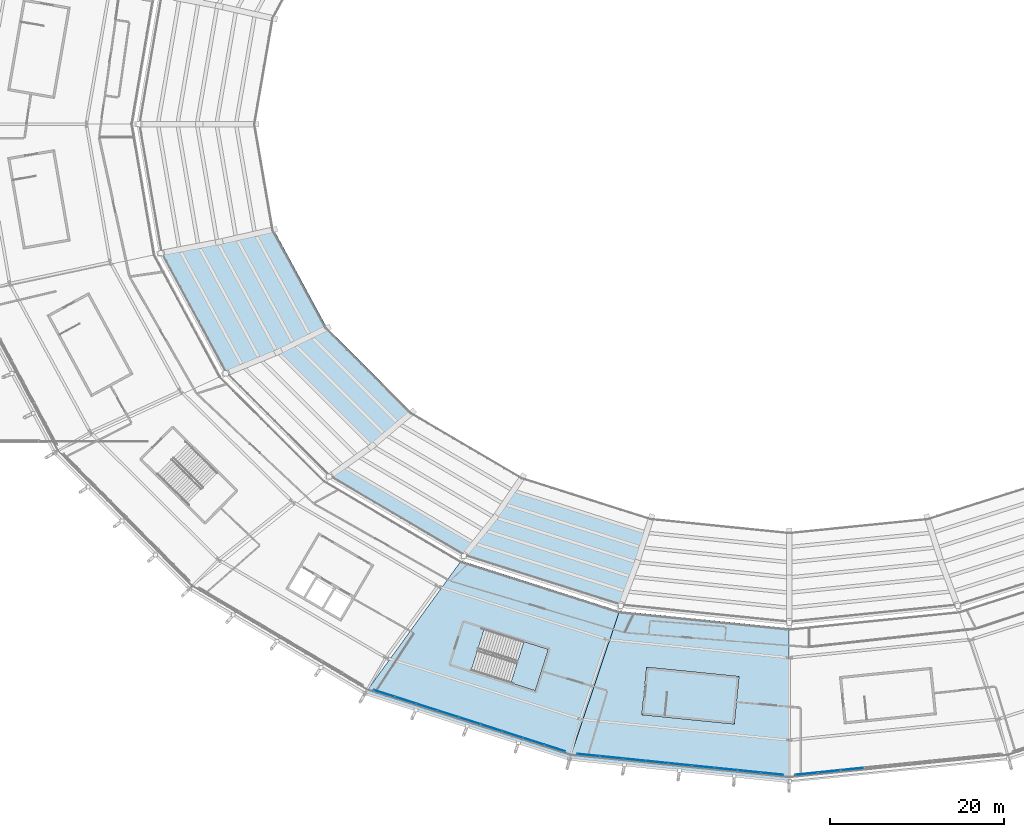
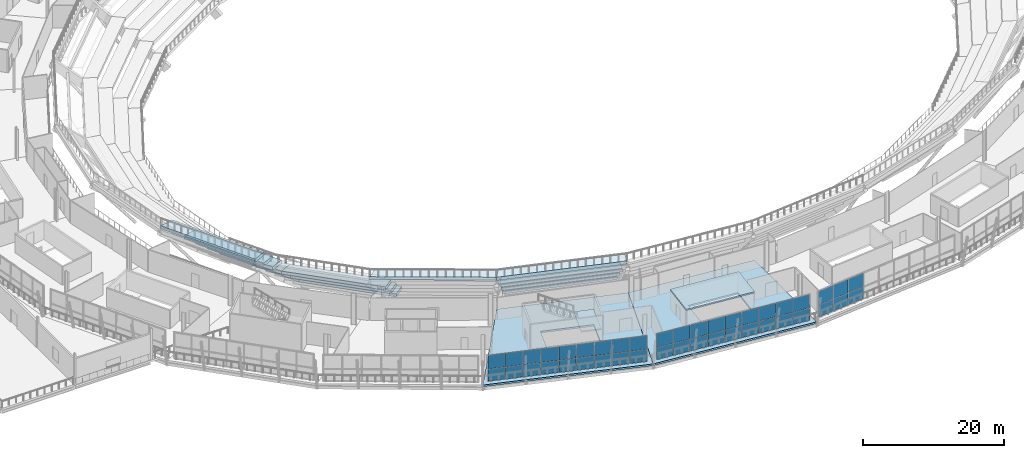
# One storey, part 63 of 126: 42 plates, 19 slabs, 4 elements without a shape of their own.
"""IFC4 building model written with IfcOpenShell, lengths in metres."""

from ifc_helpers import new_model, si_unit, direction, frame, origin, origin_2d, place, context, subcontext, project, spatial, polyline, rectangle, outline, extrude, material, layer, layer_set, type_object, element, aggregate, save


model = new_model("IFC4")

# Units and contexts
model_context = context("Model", 3, precision=1e-05, world=origin(), true_north=direction((0.0, 1.0)))
body_context = subcontext(model_context, "Body", "Model", "MODEL_VIEW")
ifc_project = project(units=[si_unit("LENGTHUNIT", "METRE"), si_unit("AREAUNIT", "SQUARE_METRE"), si_unit("VOLUMEUNIT", "CUBIC_METRE"), si_unit("PLANEANGLEUNIT", "RADIAN"), si_unit("MASSUNIT", "GRAM", prefix="KILO")], contexts=[model_context])

# Site, building, storey
site_placement = place(None, origin())
site = spatial("IfcSite", under=ifc_project, at=site_placement, CompositionType="ELEMENT")
building_placement = place(site_placement, origin())
building = spatial("IfcBuilding", under=site, at=building_placement, Name="Zlatoyarsky Gate Stadium", CompositionType="ELEMENT")
storey_placement = place(building_placement, frame((0.0, 0.0, 20.800048828125)))
storey = spatial("IfcBuildingStorey", under=building, at=storey_placement, Name="L04", CompositionType="ELEMENT", Elevation=20.800048828125)

# Curtain wall, plates
ifc_material_1 = material(Name="Thermally broken anodised aluminium curtain wall", Category="aluminium")
curtain_wall_type_1 = type_object("IfcCurtainWallType", Name="MONUMENTAL ARCHED GATE GLAZING LOWER", PredefinedType="USERDEFINED", material=ifc_material_1)
curtain_wall_1_placement = place(storey_placement, origin())
curtain_wall_1 = element("IfcCurtainWall", 1, at=curtain_wall_1_placement, inside=storey, type_object=curtain_wall_type_1, Name="Curtain wall CW-L04-18", ObjectType="ARCHED GATE GLAZING", PredefinedType="USERDEFINED")
ifc_material_2 = material(Name="Triple-glazed argon low-e architectural glass", Category="glass")
ifc_layer_1 = layer(ifc_material_2, 0.0458984375)
ifc_layer_set_1 = layer_set([ifc_layer_1], Name="Triple-glazed argon low-e architectural glass")
plate_type_1 = type_object("IfcPlateType", Name="ACOUSTIC LAMINATED GATE GLAZING PANEL 46", PredefinedType="CURTAIN_PANEL", material=ifc_layer_set_1)
plate_1_placement = place(storey_placement, frame((112.9892578125, 5.1328125, 0.074951171875), z_axis=(0.0, 0.0, 1.0), x_axis=(0.994856644007, 0.10129293102, 0.0)))
plate_1 = element("IfcPlate", 2, at=plate_1_placement, type_object=plate_type_1, Name="CW-AG1 panel 1.1", PredefinedType="CURTAIN_PANEL", context=body_context, shape_type="SweptSolid", body=[
    extrude(rectangle(XDim=2.549072265625, YDim=0.0458984375, at=origin_2d()), origin(), (0.0, 0.0, 1.0), 2.03759765625),
])
plate_2_placement = place(storey_placement, frame((112.9892578125, 5.1328125, 2.1875), z_axis=(0.0, 0.0, 1.0), x_axis=(0.994856644007, 0.10129293102, 0.0)))
plate_2 = element("IfcPlate", 3, at=plate_2_placement, type_object=plate_type_1, Name="CW-AG1 panel 1.2", PredefinedType="CURTAIN_PANEL", context=body_context, shape_type="SweptSolid", body=[
    extrude(rectangle(XDim=2.549072265625, YDim=0.0458984375, at=origin_2d()), origin(), (0.0, 0.0, 1.0), 2.357421875),
])
plate_3_placement = place(storey_placement, frame((115.618408203125, 5.400634765625, 0.074951171875), z_axis=(0.0, 0.0, 1.0), x_axis=(0.994856644007, 0.10129293102, 0.0)))
plate_3 = element("IfcPlate", 4, at=plate_3_placement, type_object=plate_type_1, Name="CW-AG1 panel 2.1", PredefinedType="CURTAIN_PANEL", context=body_context, shape_type="SweptSolid", body=[
    extrude(rectangle(XDim=2.58642578125, YDim=0.0458984375, at=origin_2d()), origin(), (0.0, 0.0, 1.0), 2.03759765625),
])
plate_4_placement = place(storey_placement, frame((115.618408203125, 5.400634765625, 2.1875), z_axis=(0.0, 0.0, 1.0), x_axis=(0.994856644007, 0.10129293102, 0.0)))
plate_4 = element("IfcPlate", 5, at=plate_4_placement, type_object=plate_type_1, Name="CW-AG1 panel 2.2", PredefinedType="CURTAIN_PANEL", context=body_context, shape_type="SweptSolid", body=[
    extrude(rectangle(XDim=2.58642578125, YDim=0.0458984375, at=origin_2d()), origin(), (0.0, 0.0, 1.0), 2.357421875),
])
plate_5_placement = place(storey_placement, frame((118.26611328125, 5.670166015625, 0.074951171875), z_axis=(0.0, 0.0, 1.0), x_axis=(0.994856644007, 0.10129293102, 0.0)))
plate_5 = element("IfcPlate", 6, at=plate_5_placement, type_object=plate_type_1, Name="CW-AG1 panel 3.1", PredefinedType="CURTAIN_PANEL", context=body_context, shape_type="SweptSolid", body=[
    extrude(rectangle(XDim=2.58642578125, YDim=0.0458984375, at=origin_2d()), origin(), (0.0, 0.0, 1.0), 2.03759765625),
])
plate_6_placement = place(storey_placement, frame((118.26611328125, 5.670166015625, 2.1875), z_axis=(0.0, 0.0, 1.0), x_axis=(0.994856644007, 0.10129293102, 0.0)))
plate_6 = element("IfcPlate", 7, at=plate_6_placement, type_object=plate_type_1, Name="CW-AG1 panel 3.2", PredefinedType="CURTAIN_PANEL", context=body_context, shape_type="SweptSolid", body=[
    extrude(rectangle(XDim=2.58642578125, YDim=0.0458984375, at=origin_2d()), origin(), (0.0, 0.0, 1.0), 2.357421875),
])
aggregate(curtain_wall_1, [plate_1, plate_2, plate_3, plate_4, plate_5, plate_6])

# Slabs
ifc_material_3 = material(Name="Concrete C40/50", Category="concrete")
ifc_layer_2 = layer(ifc_material_3, 0.300048828125)
ifc_layer_set_2 = layer_set([ifc_layer_2], Name="Concrete C40/50")
slab_type_1 = type_object("IfcSlabType", Name="CONCRETE CONCOURSE SLAB 300", PredefinedType="FLOOR", material=ifc_layer_set_2)
slab_1_placement = place(storey_placement, frame((0.0, 0.0, -0.300048828125)))
element("IfcSlab", 8, at=slab_1_placement, inside=storey, type_object=slab_type_1, Name="L04 bowl sector 16 slab", PredefinedType="FLOOR", context=body_context, shape_type="SweptSolid", body=[
    extrude(outline(polyline([(91.433349609375, 23.879638671875), (85.6953125, 6.812255859375), (62.115234375, 14.381591796875), (73.199951171875, 29.683837890625), (91.433349609375, 23.879638671875)]), holes=[polyline([(74.3466796875, 17.035888671875), (81.736083984375, 14.69921875), (83.24365234375, 19.46630859375), (75.854248046875, 21.802978515625), (74.3466796875, 17.035888671875)])]), origin(), (0.0, 0.0, 1.0), 0.300048828125),
])
slab_2_placement = place(storey_placement, frame((0.0, 0.0, -0.300048828125)))
element("IfcSlab", 9, at=slab_2_placement, inside=storey, type_object=slab_type_1, Name="L04 bowl sector 17 slab", PredefinedType="FLOOR", context=body_context, shape_type="SweptSolid", body=[
    extrude(outline(polyline([(111.0, 21.89990234375), (111.0, 4.23046875), (85.6953125, 6.812255859375), (91.433349609375, 23.879638671875), (111.0, 21.89990234375)]), holes=[polyline([(96.73046875, 11.9091796875), (104.441650390625, 11.134033203125), (104.941650390625, 16.109130859375), (97.23046875, 16.884033203125), (96.73046875, 11.9091796875)])]), origin(), (0.0, 0.0, 1.0), 0.300048828125),
])
ifc_layer_3 = layer(ifc_material_3, 0.239990234375)
ifc_layer_set_3 = layer_set([ifc_layer_3], Name="Concrete C40/50")
slab_type_2 = type_object("IfcSlabType", Name="CONCRETE CORE TOP CAP SLAB 240", PredefinedType="ROOF", material=ifc_layer_set_3)
slab_3_placement = place(storey_placement, frame((0.0, 0.0, 3.199951171875)))
element("IfcSlab", 10, at=slab_3_placement, inside=storey, type_object=slab_type_2, Name="ST-19 stair headhouse roof cap", PredefinedType="ROOF", context=body_context, shape_type="SweptSolid", body=[
    extrude(outline(polyline([(94.01904296875, 11.930419921875), (104.665283203125, 10.8603515625), (105.21533203125, 16.332763671875), (94.569091796875, 17.40283203125), (94.01904296875, 11.930419921875)])), origin(), (0.0, 0.0, 1.0), 0.239990234375),
])

# Stair, slab
stair_type = type_object("IfcStairType", Name="CONCRETE DOGLEG EXIT STAIR H5400", PredefinedType="TWO_STRAIGHT_RUN_STAIR", material=ifc_material_3)
stair_placement = place(storey_placement, origin())
stair = element("IfcStair", 11, at=stair_placement, inside=storey, type_object=stair_type, Name="L04 Exit Stair ST-09", PredefinedType="TWO_STRAIGHT_RUN_STAIR")
ifc_layer_4 = layer(ifc_material_3, 0.199951171875)
ifc_layer_set_4 = layer_set([ifc_layer_4], Name="Concrete C40/50")
slab_type_3 = type_object("IfcSlabType", Name="CONCRETE STAIR LANDING SLAB 200", PredefinedType="LANDING", material=ifc_layer_set_4)
slab_4_placement = place(storey_placement, frame((0.0, 0.0, 2.5)))
slab_4 = element("IfcSlab", 12, at=slab_4_placement, type_object=slab_type_3, Name="ST-DG54 landing 1", PredefinedType="LANDING", context=body_context, shape_type="SweptSolid", body=[
    extrude(outline(polyline([(78.92333984375, 15.588623046875), (81.736083984375, 14.69921875), (83.24365234375, 19.46630859375), (80.430908203125, 20.35595703125), (78.92333984375, 15.588623046875)])), origin(), (0.0, 0.0, 1.0), 0.199951171875),
])
aggregate(stair, [slab_4])

# Slabs
ifc_material_4 = material(Name="Precast concrete C40/50", Category="concrete")
ifc_layer_5 = layer(ifc_material_4, 0.56005859375)
ifc_layer_set_5 = layer_set([ifc_layer_5], Name="Precast concrete C40/50")
slab_type_4 = type_object("IfcSlabType", Name="PRECAST UPPER SEATING TIER UNIT 560", PredefinedType="USERDEFINED", material=ifc_layer_set_5)
slab_5_placement = place(storey_placement, frame((0.0, 0.0, -4.9599609375)))
element("IfcSlab", 13, at=slab_5_placement, inside=storey, type_object=slab_type_4, Name="Upper seating tier sector 13 row 1", ObjectType="SEATING TIER", PredefinedType="USERDEFINED", context=body_context, shape_type="SweptSolid", body=[
    extrude(outline(polyline([(51.595703125, 67.83544921875), (49.422119140625, 67.382568359375), (55.791015625, 55.625), (57.739501953125, 56.5), (51.595703125, 67.83544921875)])), origin(), (0.0, 0.0, 1.0), 0.559814453125),
])
slab_6_placement = place(storey_placement, frame((0.0, 0.0, -3.06005859375)))
element("IfcSlab", 14, at=slab_6_placement, inside=storey, type_object=slab_type_4, Name="Upper seating tier sector 13 row 2", ObjectType="SEATING TIER", PredefinedType="USERDEFINED", context=body_context, shape_type="SweptSolid", body=[
    extrude(outline(polyline([(49.422119140625, 67.382568359375), (47.248779296875, 66.9296875), (53.84228515625, 54.75), (55.791015625, 55.625), (49.422119140625, 67.382568359375)])), origin(), (0.0, 0.0, 1.0), 0.56005859375),
])
slab_7_placement = place(storey_placement, frame((0.0, 0.0, -1.16015625)))
element("IfcSlab", 15, at=slab_7_placement, inside=storey, type_object=slab_type_4, Name="Upper seating tier sector 13 row 3", ObjectType="SEATING TIER", PredefinedType="USERDEFINED", context=body_context, shape_type="SweptSolid", body=[
    extrude(outline(polyline([(47.248779296875, 66.9296875), (45.07568359375, 66.476806640625), (51.893798828125, 53.875), (53.84228515625, 54.75), (47.248779296875, 66.9296875)])), origin(), (0.0, 0.0, 1.0), 0.56005859375),
])
slab_8_placement = place(storey_placement, frame((0.0, 0.0, 0.739990234375)))
element("IfcSlab", 16, at=slab_8_placement, inside=storey, type_object=slab_type_4, Name="Upper seating tier sector 13 row 4", ObjectType="SEATING TIER", PredefinedType="USERDEFINED", context=body_context, shape_type="SweptSolid", body=[
    extrude(outline(polyline([(45.07568359375, 66.476806640625), (42.902099609375, 66.023681640625), (49.9453125, 53.0), (51.893798828125, 53.875), (45.07568359375, 66.476806640625)])), origin(), (0.0, 0.0, 1.0), 0.56005859375),
])
slab_9_placement = place(storey_placement, frame((0.0, 0.0, 2.639892578125)))
element("IfcSlab", 17, at=slab_9_placement, inside=storey, type_object=slab_type_4, Name="Upper seating tier sector 13 row 5", ObjectType="SEATING TIER", PredefinedType="USERDEFINED", context=body_context, shape_type="SweptSolid", body=[
    extrude(outline(polyline([(42.902099609375, 66.023681640625), (40.72900390625, 65.57080078125), (47.99658203125, 52.125), (49.9453125, 53.0), (42.902099609375, 66.023681640625)])), origin(), (0.0, 0.0, 1.0), 0.56005859375),
])
slab_10_placement = place(storey_placement, frame((0.0, 0.0, 4.5400390625)))
element("IfcSlab", 18, at=slab_10_placement, inside=storey, type_object=slab_type_4, Name="Upper seating tier sector 13 row 6", ObjectType="SEATING TIER", PredefinedType="USERDEFINED", context=body_context, shape_type="SweptSolid", body=[
    extrude(outline(polyline([(40.72900390625, 65.57080078125), (38.5556640625, 65.117919921875), (46.048095703125, 51.25), (47.99658203125, 52.125), (40.72900390625, 65.57080078125)])), origin(), (0.0, 0.0, 1.0), 0.559814453125),
])
slab_11_placement = place(storey_placement, frame((0.0, 0.0, -4.9599609375)))
element("IfcSlab", 19, at=slab_11_placement, inside=storey, type_object=slab_type_4, Name="Upper seating tier sector 14 row 1", ObjectType="SEATING TIER", PredefinedType="USERDEFINED", context=body_context, shape_type="SweptSolid", body=[
    extrude(outline(polyline([(57.739501953125, 56.5), (55.791015625, 55.625), (65.921875, 45.528564453125), (67.512939453125, 46.76611328125), (57.739501953125, 56.5)])), origin(), (0.0, 0.0, 1.0), 0.559814453125),
])
slab_12_placement = place(storey_placement, frame((0.0, 0.0, -3.06005859375)))
element("IfcSlab", 20, at=slab_12_placement, inside=storey, type_object=slab_type_4, Name="Upper seating tier sector 14 row 2", ObjectType="SEATING TIER", PredefinedType="USERDEFINED", context=body_context, shape_type="SweptSolid", body=[
    extrude(outline(polyline([(55.791015625, 55.625), (53.84228515625, 54.75), (64.3310546875, 44.291015625), (65.921875, 45.528564453125), (55.791015625, 55.625)])), origin(), (0.0, 0.0, 1.0), 0.56005859375),
])
slab_13_placement = place(storey_placement, frame((0.0, 0.0, -1.16015625)))
element("IfcSlab", 21, at=slab_13_placement, inside=storey, type_object=slab_type_4, Name="Upper seating tier sector 14 row 3", ObjectType="SEATING TIER", PredefinedType="USERDEFINED", context=body_context, shape_type="SweptSolid", body=[
    extrude(outline(polyline([(53.84228515625, 54.75), (51.893798828125, 53.875), (62.739990234375, 43.0537109375), (64.3310546875, 44.291015625), (53.84228515625, 54.75)])), origin(), (0.0, 0.0, 1.0), 0.56005859375),
])
slab_14_placement = place(storey_placement, frame((0.0, 0.0, 4.5400390625)))
element("IfcSlab", 22, at=slab_14_placement, inside=storey, type_object=slab_type_4, Name="Upper seating tier sector 15 row 6", ObjectType="SEATING TIER", PredefinedType="USERDEFINED", context=body_context, shape_type="SweptSolid", body=[
    extrude(outline(polyline([(59.55810546875, 40.578857421875), (57.967041015625, 39.34130859375), (73.5, 30.20361328125), (74.625, 31.718994140625), (59.55810546875, 40.578857421875)])), origin(), (0.0, 0.0, 1.0), 0.559814453125),
])
slab_15_placement = place(storey_placement, frame((0.0, 0.0, -3.06005859375)))
element("IfcSlab", 23, at=slab_15_placement, inside=storey, type_object=slab_type_4, Name="Upper seating tier sector 16 row 2", ObjectType="SEATING TIER", PredefinedType="USERDEFINED", context=body_context, shape_type="SweptSolid", body=[
    extrude(outline(polyline([(79.125, 37.78125), (78.0, 36.265625), (93.91796875, 31.220703125), (94.500244140625, 32.9111328125), (79.125, 37.78125)])), origin(), (0.0, 0.0, 1.0), 0.56005859375),
])
slab_16_placement = place(storey_placement, frame((0.0, 0.0, -1.16015625)))
element("IfcSlab", 24, at=slab_16_placement, inside=storey, type_object=slab_type_4, Name="Upper seating tier sector 16 row 3", ObjectType="SEATING TIER", PredefinedType="USERDEFINED", context=body_context, shape_type="SweptSolid", body=[
    extrude(outline(polyline([(78.0, 36.265625), (76.875, 34.750244140625), (93.335693359375, 29.530517578125), (93.91796875, 31.220703125), (78.0, 36.265625)])), origin(), (0.0, 0.0, 1.0), 0.56005859375),
])
slab_17_placement = place(storey_placement, frame((0.0, 0.0, 0.739990234375)))
element("IfcSlab", 25, at=slab_17_placement, inside=storey, type_object=slab_type_4, Name="Upper seating tier sector 16 row 4", ObjectType="SEATING TIER", PredefinedType="USERDEFINED", context=body_context, shape_type="SweptSolid", body=[
    extrude(outline(polyline([(76.875, 34.750244140625), (75.75, 33.234619140625), (92.75341796875, 27.840087890625), (93.335693359375, 29.530517578125), (76.875, 34.750244140625)])), origin(), (0.0, 0.0, 1.0), 0.56005859375),
])
slab_18_placement = place(storey_placement, frame((0.0, 0.0, 2.639892578125)))
element("IfcSlab", 26, at=slab_18_placement, inside=storey, type_object=slab_type_4, Name="Upper seating tier sector 16 row 5", ObjectType="SEATING TIER", PredefinedType="USERDEFINED", context=body_context, shape_type="SweptSolid", body=[
    extrude(outline(polyline([(75.75, 33.234619140625), (74.625, 31.718994140625), (92.1708984375, 26.149658203125), (92.75341796875, 27.840087890625), (75.75, 33.234619140625)])), origin(), (0.0, 0.0, 1.0), 0.56005859375),
])
slab_19_placement = place(storey_placement, frame((0.0, 0.0, 4.5400390625)))
element("IfcSlab", 27, at=slab_19_placement, inside=storey, type_object=slab_type_4, Name="Upper seating tier sector 16 row 6", ObjectType="SEATING TIER", PredefinedType="USERDEFINED", context=body_context, shape_type="SweptSolid", body=[
    extrude(outline(polyline([(74.625, 31.718994140625), (73.5, 30.20361328125), (91.588623046875, 24.459228515625), (92.1708984375, 26.149658203125), (74.625, 31.718994140625)])), origin(), (0.0, 0.0, 1.0), 0.559814453125),
])

# Curtain wall, plates
curtain_wall_type_2 = type_object("IfcCurtainWallType", Name="UNITISED MEDIA RING GLAZING L04", PredefinedType="USERDEFINED", material=ifc_material_1)
curtain_wall_2_placement = place(storey_placement, origin())
curtain_wall_2 = element("IfcCurtainWall", 28, at=curtain_wall_2_placement, inside=storey, type_object=curtain_wall_type_2, Name="Curtain wall CW-L04-16", ObjectType="UNITISED GLAZING", PredefinedType="USERDEFINED")
ifc_layer_6 = layer(ifc_material_2, 0.0380859375)
ifc_layer_set_6 = layer_set([ifc_layer_6], Name="Triple-glazed argon low-e architectural glass")
plate_type_2 = type_object("IfcPlateType", Name="TRIPLE GLAZED LOW E CURTAIN PANEL 38", PredefinedType="CURTAIN_PANEL", material=ifc_layer_set_6)
plate_7_placement = place(storey_placement, frame((64.33154296875, 14.389892578125, 0.06494140625), z_axis=(0.0, 0.0, 1.0), x_axis=(0.952331297298, -0.305065730928, 0.0)))
plate_7 = element("IfcPlate", 29, at=plate_7_placement, type_object=plate_type_2, Name="CW-UG4 panel 1.1", PredefinedType="CURTAIN_PANEL", context=body_context, shape_type="SweptSolid", body=[
    extrude(rectangle(XDim=2.489501953125, YDim=0.0380859375, at=origin_2d()), origin(), (0.0, 0.0, 1.0), 2.052490234375),
])
plate_8_placement = place(storey_placement, frame((64.33154296875, 14.389892578125, 2.182373046875), z_axis=(0.0, 0.0, 1.0), x_axis=(0.952331297298, -0.305065730928, 0.0)))
plate_8 = element("IfcPlate", 30, at=plate_8_placement, type_object=plate_type_2, Name="CW-UG4 panel 1.2", PredefinedType="CURTAIN_PANEL", context=body_context, shape_type="SweptSolid", body=[
    extrude(rectangle(XDim=2.489501953125, YDim=0.0380859375, at=origin_2d()), origin(), (0.0, 0.0, 1.0), 2.37255859375),
])
plate_9_placement = place(storey_placement, frame((66.77978515625, 13.605712890625, 0.06494140625), z_axis=(0.0, 0.0, 1.0), x_axis=(0.952331297298, -0.305065730928, 0.0)))
plate_9 = element("IfcPlate", 31, at=plate_9_placement, type_object=plate_type_2, Name="CW-UG4 panel 2.1", PredefinedType="CURTAIN_PANEL", context=body_context, shape_type="SweptSolid", body=[
    extrude(rectangle(XDim=2.52197265625, YDim=0.0380859375, at=origin_2d()), origin(), (0.0, 0.0, 1.0), 2.052490234375),
])
plate_10_placement = place(storey_placement, frame((66.77978515625, 13.605712890625, 2.182373046875), z_axis=(0.0, 0.0, 1.0), x_axis=(0.952331297298, -0.305065730928, 0.0)))
plate_10 = element("IfcPlate", 32, at=plate_10_placement, type_object=plate_type_2, Name="CW-UG4 panel 2.2", PredefinedType="CURTAIN_PANEL", context=body_context, shape_type="SweptSolid", body=[
    extrude(rectangle(XDim=2.52197265625, YDim=0.0380859375, at=origin_2d()), origin(), (0.0, 0.0, 1.0), 2.37255859375),
])
plate_11_placement = place(storey_placement, frame((69.243408203125, 12.81640625, 0.06494140625), z_axis=(0.0, 0.0, 1.0), x_axis=(0.952331297298, -0.305065730928, 0.0)))
plate_11 = element("IfcPlate", 33, at=plate_11_placement, type_object=plate_type_2, Name="CW-UG4 panel 3.1", PredefinedType="CURTAIN_PANEL", context=body_context, shape_type="SweptSolid", body=[
    extrude(rectangle(XDim=2.52197265625, YDim=0.0380859375, at=origin_2d()), origin(), (0.0, 0.0, 1.0), 2.052490234375),
])
plate_12_placement = place(storey_placement, frame((69.243408203125, 12.81640625, 2.182373046875), z_axis=(0.0, 0.0, 1.0), x_axis=(0.952331297298, -0.305065730928, 0.0)))
plate_12 = element("IfcPlate", 34, at=plate_12_placement, type_object=plate_type_2, Name="CW-UG4 panel 3.2", PredefinedType="CURTAIN_PANEL", context=body_context, shape_type="SweptSolid", body=[
    extrude(rectangle(XDim=2.52197265625, YDim=0.0380859375, at=origin_2d()), origin(), (0.0, 0.0, 1.0), 2.37255859375),
])
plate_13_placement = place(storey_placement, frame((71.70703125, 12.02734375, 0.06494140625), z_axis=(0.0, 0.0, 1.0), x_axis=(0.952331297298, -0.305065730928, 0.0)))
plate_13 = element("IfcPlate", 35, at=plate_13_placement, type_object=plate_type_2, Name="CW-UG4 panel 4.1", PredefinedType="CURTAIN_PANEL", context=body_context, shape_type="SweptSolid", body=[
    extrude(rectangle(XDim=2.52197265625, YDim=0.0380859375, at=origin_2d()), origin(), (0.0, 0.0, 1.0), 2.052490234375),
])
plate_14_placement = place(storey_placement, frame((71.70703125, 12.02734375, 2.182373046875), z_axis=(0.0, 0.0, 1.0), x_axis=(0.952331297298, -0.305065730928, 0.0)))
plate_14 = element("IfcPlate", 36, at=plate_14_placement, type_object=plate_type_2, Name="CW-UG4 panel 4.2", PredefinedType="CURTAIN_PANEL", context=body_context, shape_type="SweptSolid", body=[
    extrude(rectangle(XDim=2.52197265625, YDim=0.0380859375, at=origin_2d()), origin(), (0.0, 0.0, 1.0), 2.37255859375),
])
plate_15_placement = place(storey_placement, frame((74.1708984375, 11.238037109375, 0.06494140625), z_axis=(0.0, 0.0, 1.0), x_axis=(0.952331297298, -0.305065730928, 0.0)))
plate_15 = element("IfcPlate", 37, at=plate_15_placement, type_object=plate_type_2, Name="CW-UG4 panel 5.1", PredefinedType="CURTAIN_PANEL", context=body_context, shape_type="SweptSolid", body=[
    extrude(rectangle(XDim=2.52197265625, YDim=0.0380859375, at=origin_2d()), origin(), (0.0, 0.0, 1.0), 2.052490234375),
])
plate_16_placement = place(storey_placement, frame((74.1708984375, 11.238037109375, 2.182373046875), z_axis=(0.0, 0.0, 1.0), x_axis=(0.952331297298, -0.305065730928, 0.0)))
plate_16 = element("IfcPlate", 38, at=plate_16_placement, type_object=plate_type_2, Name="CW-UG4 panel 5.2", PredefinedType="CURTAIN_PANEL", context=body_context, shape_type="SweptSolid", body=[
    extrude(rectangle(XDim=2.52197265625, YDim=0.0380859375, at=origin_2d()), origin(), (0.0, 0.0, 1.0), 2.37255859375),
])
plate_17_placement = place(storey_placement, frame((76.634521484375, 10.44873046875, 0.06494140625), z_axis=(0.0, 0.0, 1.0), x_axis=(0.952331297298, -0.305065730928, 0.0)))
plate_17 = element("IfcPlate", 39, at=plate_17_placement, type_object=plate_type_2, Name="CW-UG4 panel 6.1", PredefinedType="CURTAIN_PANEL", context=body_context, shape_type="SweptSolid", body=[
    extrude(rectangle(XDim=2.52197265625, YDim=0.0380859375, at=origin_2d()), origin(), (0.0, 0.0, 1.0), 2.052490234375),
])
plate_18_placement = place(storey_placement, frame((76.634521484375, 10.44873046875, 2.182373046875), z_axis=(0.0, 0.0, 1.0), x_axis=(0.952331297298, -0.305065730928, 0.0)))
plate_18 = element("IfcPlate", 40, at=plate_18_placement, type_object=plate_type_2, Name="CW-UG4 panel 6.2", PredefinedType="CURTAIN_PANEL", context=body_context, shape_type="SweptSolid", body=[
    extrude(rectangle(XDim=2.52197265625, YDim=0.0380859375, at=origin_2d()), origin(), (0.0, 0.0, 1.0), 2.37255859375),
])
plate_19_placement = place(storey_placement, frame((79.09814453125, 9.65966796875, 0.06494140625), z_axis=(0.0, 0.0, 1.0), x_axis=(0.952331297298, -0.305065730928, 0.0)))
plate_19 = element("IfcPlate", 41, at=plate_19_placement, type_object=plate_type_2, Name="CW-UG4 panel 7.1", PredefinedType="CURTAIN_PANEL", context=body_context, shape_type="SweptSolid", body=[
    extrude(rectangle(XDim=2.52197265625, YDim=0.0380859375, at=origin_2d()), origin(), (0.0, 0.0, 1.0), 2.052490234375),
])
plate_20_placement = place(storey_placement, frame((79.09814453125, 9.65966796875, 2.182373046875), z_axis=(0.0, 0.0, 1.0), x_axis=(0.952331297298, -0.305065730928, 0.0)))
plate_20 = element("IfcPlate", 42, at=plate_20_placement, type_object=plate_type_2, Name="CW-UG4 panel 7.2", PredefinedType="CURTAIN_PANEL", context=body_context, shape_type="SweptSolid", body=[
    extrude(rectangle(XDim=2.52197265625, YDim=0.0380859375, at=origin_2d()), origin(), (0.0, 0.0, 1.0), 2.37255859375),
])
plate_21_placement = place(storey_placement, frame((81.56201171875, 8.870361328125, 0.06494140625), z_axis=(0.0, 0.0, 1.0), x_axis=(0.952331297298, -0.305065730928, 0.0)))
plate_21 = element("IfcPlate", 43, at=plate_21_placement, type_object=plate_type_2, Name="CW-UG4 panel 8.1", PredefinedType="CURTAIN_PANEL", context=body_context, shape_type="SweptSolid", body=[
    extrude(rectangle(XDim=2.52197265625, YDim=0.0380859375, at=origin_2d()), origin(), (0.0, 0.0, 1.0), 2.052490234375),
])
plate_22_placement = place(storey_placement, frame((81.56201171875, 8.870361328125, 2.182373046875), z_axis=(0.0, 0.0, 1.0), x_axis=(0.952331297298, -0.305065730928, 0.0)))
plate_22 = element("IfcPlate", 44, at=plate_22_placement, type_object=plate_type_2, Name="CW-UG4 panel 8.2", PredefinedType="CURTAIN_PANEL", context=body_context, shape_type="SweptSolid", body=[
    extrude(rectangle(XDim=2.52197265625, YDim=0.0380859375, at=origin_2d()), origin(), (0.0, 0.0, 1.0), 2.37255859375),
])
plate_23_placement = place(storey_placement, frame((84.01025390625, 8.086181640625, 0.06494140625), z_axis=(0.0, 0.0, 1.0), x_axis=(0.952331297298, -0.305065730928, 0.0)))
plate_23 = element("IfcPlate", 45, at=plate_23_placement, type_object=plate_type_2, Name="CW-UG4 panel 9.1", PredefinedType="CURTAIN_PANEL", context=body_context, shape_type="SweptSolid", body=[
    extrude(rectangle(XDim=2.489501953125, YDim=0.0380859375, at=origin_2d()), origin(), (0.0, 0.0, 1.0), 2.052490234375),
])
plate_24_placement = place(storey_placement, frame((84.01025390625, 8.086181640625, 2.182373046875), z_axis=(0.0, 0.0, 1.0), x_axis=(0.952331297298, -0.305065730928, 0.0)))
plate_24 = element("IfcPlate", 46, at=plate_24_placement, type_object=plate_type_2, Name="CW-UG4 panel 9.2", PredefinedType="CURTAIN_PANEL", context=body_context, shape_type="SweptSolid", body=[
    extrude(rectangle(XDim=2.489501953125, YDim=0.0380859375, at=origin_2d()), origin(), (0.0, 0.0, 1.0), 2.37255859375),
])
aggregate(curtain_wall_2, [plate_7, plate_8, plate_9, plate_10, plate_11, plate_12, plate_13, plate_14, plate_15, plate_16, plate_17, plate_18, plate_19, plate_20, plate_21, plate_22, plate_23, plate_24])

curtain_wall_3_placement = place(storey_placement, origin())
curtain_wall_3 = element("IfcCurtainWall", 47, at=curtain_wall_3_placement, inside=storey, type_object=curtain_wall_type_2, Name="Curtain wall CW-L04-17", ObjectType="UNITISED GLAZING", PredefinedType="USERDEFINED")
plate_25_placement = place(storey_placement, frame((87.86328125, 7.2861328125, 0.06494140625), z_axis=(0.0, 0.0, 1.0), x_axis=(0.994856644007, -0.10129293102, 0.0)))
plate_25 = element("IfcPlate", 48, at=plate_25_placement, type_object=plate_type_2, Name="CW-UG4 panel 1.1", PredefinedType="CURTAIN_PANEL", context=body_context, shape_type="SweptSolid", body=[
    extrude(rectangle(XDim=2.56396484375, YDim=0.0380859375, at=origin_2d()), origin(), (0.0, 0.0, 1.0), 2.052490234375),
])
plate_26_placement = place(storey_placement, frame((87.86328125, 7.2861328125, 2.182373046875), z_axis=(0.0, 0.0, 1.0), x_axis=(0.994856644007, -0.10129293102, 0.0)))
plate_26 = element("IfcPlate", 49, at=plate_26_placement, type_object=plate_type_2, Name="CW-UG4 panel 1.2", PredefinedType="CURTAIN_PANEL", context=body_context, shape_type="SweptSolid", body=[
    extrude(rectangle(XDim=2.56396484375, YDim=0.0380859375, at=origin_2d()), origin(), (0.0, 0.0, 1.0), 2.37255859375),
])
plate_27_placement = place(storey_placement, frame((90.494873046875, 7.01806640625, 0.06494140625), z_axis=(0.0, 0.0, 1.0), x_axis=(0.994856644007, -0.10129293102, 0.0)))
plate_27 = element("IfcPlate", 50, at=plate_27_placement, type_object=plate_type_2, Name="CW-UG4 panel 2.1", PredefinedType="CURTAIN_PANEL", context=body_context, shape_type="SweptSolid", body=[
    extrude(rectangle(XDim=2.596435546875, YDim=0.0380859375, at=origin_2d()), origin(), (0.0, 0.0, 1.0), 2.052490234375),
])
plate_28_placement = place(storey_placement, frame((90.494873046875, 7.01806640625, 2.182373046875), z_axis=(0.0, 0.0, 1.0), x_axis=(0.994856644007, -0.10129293102, 0.0)))
plate_28 = element("IfcPlate", 51, at=plate_28_placement, type_object=plate_type_2, Name="CW-UG4 panel 2.2", PredefinedType="CURTAIN_PANEL", context=body_context, shape_type="SweptSolid", body=[
    extrude(rectangle(XDim=2.596435546875, YDim=0.0380859375, at=origin_2d()), origin(), (0.0, 0.0, 1.0), 2.37255859375),
])
plate_29_placement = place(storey_placement, frame((93.142578125, 6.74853515625, 0.06494140625), z_axis=(0.0, 0.0, 1.0), x_axis=(0.994856644007, -0.10129293102, 0.0)))
plate_29 = element("IfcPlate", 52, at=plate_29_placement, type_object=plate_type_2, Name="CW-UG4 panel 3.1", PredefinedType="CURTAIN_PANEL", context=body_context, shape_type="SweptSolid", body=[
    extrude(rectangle(XDim=2.596435546875, YDim=0.0380859375, at=origin_2d()), origin(), (0.0, 0.0, 1.0), 2.052490234375),
])
plate_30_placement = place(storey_placement, frame((93.142578125, 6.74853515625, 2.182373046875), z_axis=(0.0, 0.0, 1.0), x_axis=(0.994856644007, -0.10129293102, 0.0)))
plate_30 = element("IfcPlate", 53, at=plate_30_placement, type_object=plate_type_2, Name="CW-UG4 panel 3.2", PredefinedType="CURTAIN_PANEL", context=body_context, shape_type="SweptSolid", body=[
    extrude(rectangle(XDim=2.596435546875, YDim=0.0380859375, at=origin_2d()), origin(), (0.0, 0.0, 1.0), 2.37255859375),
])
plate_31_placement = place(storey_placement, frame((95.79052734375, 6.47900390625, 0.06494140625), z_axis=(0.0, 0.0, 1.0), x_axis=(0.994856644007, -0.10129293102, 0.0)))
plate_31 = element("IfcPlate", 54, at=plate_31_placement, type_object=plate_type_2, Name="CW-UG4 panel 4.1", PredefinedType="CURTAIN_PANEL", context=body_context, shape_type="SweptSolid", body=[
    extrude(rectangle(XDim=2.596435546875, YDim=0.0380859375, at=origin_2d()), origin(), (0.0, 0.0, 1.0), 2.052490234375),
])
plate_32_placement = place(storey_placement, frame((95.79052734375, 6.47900390625, 2.182373046875), z_axis=(0.0, 0.0, 1.0), x_axis=(0.994856644007, -0.10129293102, 0.0)))
plate_32 = element("IfcPlate", 55, at=plate_32_placement, type_object=plate_type_2, Name="CW-UG4 panel 4.2", PredefinedType="CURTAIN_PANEL", context=body_context, shape_type="SweptSolid", body=[
    extrude(rectangle(XDim=2.596435546875, YDim=0.0380859375, at=origin_2d()), origin(), (0.0, 0.0, 1.0), 2.37255859375),
])
plate_33_placement = place(storey_placement, frame((98.438232421875, 6.209228515625, 0.06494140625), z_axis=(0.0, 0.0, 1.0), x_axis=(0.994856644007, -0.10129293102, 0.0)))
plate_33 = element("IfcPlate", 56, at=plate_33_placement, type_object=plate_type_2, Name="CW-UG4 panel 5.1", PredefinedType="CURTAIN_PANEL", context=body_context, shape_type="SweptSolid", body=[
    extrude(rectangle(XDim=2.596435546875, YDim=0.0380859375, at=origin_2d()), origin(), (0.0, 0.0, 1.0), 2.052490234375),
])
plate_34_placement = place(storey_placement, frame((98.438232421875, 6.209228515625, 2.182373046875), z_axis=(0.0, 0.0, 1.0), x_axis=(0.994856644007, -0.10129293102, 0.0)))
plate_34 = element("IfcPlate", 57, at=plate_34_placement, type_object=plate_type_2, Name="CW-UG4 panel 5.2", PredefinedType="CURTAIN_PANEL", context=body_context, shape_type="SweptSolid", body=[
    extrude(rectangle(XDim=2.596435546875, YDim=0.0380859375, at=origin_2d()), origin(), (0.0, 0.0, 1.0), 2.37255859375),
])
plate_35_placement = place(storey_placement, frame((101.0859375, 5.939697265625, 0.06494140625), z_axis=(0.0, 0.0, 1.0), x_axis=(0.994856644007, -0.10129293102, 0.0)))
plate_35 = element("IfcPlate", 58, at=plate_35_placement, type_object=plate_type_2, Name="CW-UG4 panel 6.1", PredefinedType="CURTAIN_PANEL", context=body_context, shape_type="SweptSolid", body=[
    extrude(rectangle(XDim=2.596435546875, YDim=0.0380859375, at=origin_2d()), origin(), (0.0, 0.0, 1.0), 2.052490234375),
])
plate_36_placement = place(storey_placement, frame((101.0859375, 5.939697265625, 2.182373046875), z_axis=(0.0, 0.0, 1.0), x_axis=(0.994856644007, -0.10129293102, 0.0)))
plate_36 = element("IfcPlate", 59, at=plate_36_placement, type_object=plate_type_2, Name="CW-UG4 panel 6.2", PredefinedType="CURTAIN_PANEL", context=body_context, shape_type="SweptSolid", body=[
    extrude(rectangle(XDim=2.596435546875, YDim=0.0380859375, at=origin_2d()), origin(), (0.0, 0.0, 1.0), 2.37255859375),
])
plate_37_placement = place(storey_placement, frame((103.73388671875, 5.670166015625, 0.06494140625), z_axis=(0.0, 0.0, 1.0), x_axis=(0.994856644007, -0.10129293102, 0.0)))
plate_37 = element("IfcPlate", 60, at=plate_37_placement, type_object=plate_type_2, Name="CW-UG4 panel 7.1", PredefinedType="CURTAIN_PANEL", context=body_context, shape_type="SweptSolid", body=[
    extrude(rectangle(XDim=2.596435546875, YDim=0.0380859375, at=origin_2d()), origin(), (0.0, 0.0, 1.0), 2.052490234375),
])
plate_38_placement = place(storey_placement, frame((103.73388671875, 5.670166015625, 2.182373046875), z_axis=(0.0, 0.0, 1.0), x_axis=(0.994856644007, -0.10129293102, 0.0)))
plate_38 = element("IfcPlate", 61, at=plate_38_placement, type_object=plate_type_2, Name="CW-UG4 panel 7.2", PredefinedType="CURTAIN_PANEL", context=body_context, shape_type="SweptSolid", body=[
    extrude(rectangle(XDim=2.596435546875, YDim=0.0380859375, at=origin_2d()), origin(), (0.0, 0.0, 1.0), 2.37255859375),
])
plate_39_placement = place(storey_placement, frame((106.381591796875, 5.400634765625, 0.06494140625), z_axis=(0.0, 0.0, 1.0), x_axis=(0.994856644007, -0.10129293102, 0.0)))
plate_39 = element("IfcPlate", 62, at=plate_39_placement, type_object=plate_type_2, Name="CW-UG4 panel 8.1", PredefinedType="CURTAIN_PANEL", context=body_context, shape_type="SweptSolid", body=[
    extrude(rectangle(XDim=2.596435546875, YDim=0.0380859375, at=origin_2d()), origin(), (0.0, 0.0, 1.0), 2.052490234375),
])
plate_40_placement = place(storey_placement, frame((106.381591796875, 5.400634765625, 2.182373046875), z_axis=(0.0, 0.0, 1.0), x_axis=(0.994856644007, -0.10129293102, 0.0)))
plate_40 = element("IfcPlate", 63, at=plate_40_placement, type_object=plate_type_2, Name="CW-UG4 panel 8.2", PredefinedType="CURTAIN_PANEL", context=body_context, shape_type="SweptSolid", body=[
    extrude(rectangle(XDim=2.596435546875, YDim=0.0380859375, at=origin_2d()), origin(), (0.0, 0.0, 1.0), 2.37255859375),
])
plate_41_placement = place(storey_placement, frame((109.01318359375, 5.132568359375, 0.06494140625), z_axis=(0.0, 0.0, 1.0), x_axis=(0.994856644007, -0.10129293102, 0.0)))
plate_41 = element("IfcPlate", 64, at=plate_41_placement, type_object=plate_type_2, Name="CW-UG4 panel 9.1", PredefinedType="CURTAIN_PANEL", context=body_context, shape_type="SweptSolid", body=[
    extrude(rectangle(XDim=2.56396484375, YDim=0.0380859375, at=origin_2d()), origin(), (0.0, 0.0, 1.0), 2.052490234375),
])
plate_42_placement = place(storey_placement, frame((109.01318359375, 5.132568359375, 2.182373046875), z_axis=(0.0, 0.0, 1.0), x_axis=(0.994856644007, -0.10129293102, 0.0)))
plate_42 = element("IfcPlate", 65, at=plate_42_placement, type_object=plate_type_2, Name="CW-UG4 panel 9.2", PredefinedType="CURTAIN_PANEL", context=body_context, shape_type="SweptSolid", body=[
    extrude(rectangle(XDim=2.56396484375, YDim=0.0380859375, at=origin_2d()), origin(), (0.0, 0.0, 1.0), 2.37255859375),
])
aggregate(curtain_wall_3, [plate_25, plate_26, plate_27, plate_28, plate_29, plate_30, plate_31, plate_32, plate_33, plate_34, plate_35, plate_36, plate_37, plate_38, plate_39, plate_40, plate_41, plate_42])

save(model, "model.ifc")
